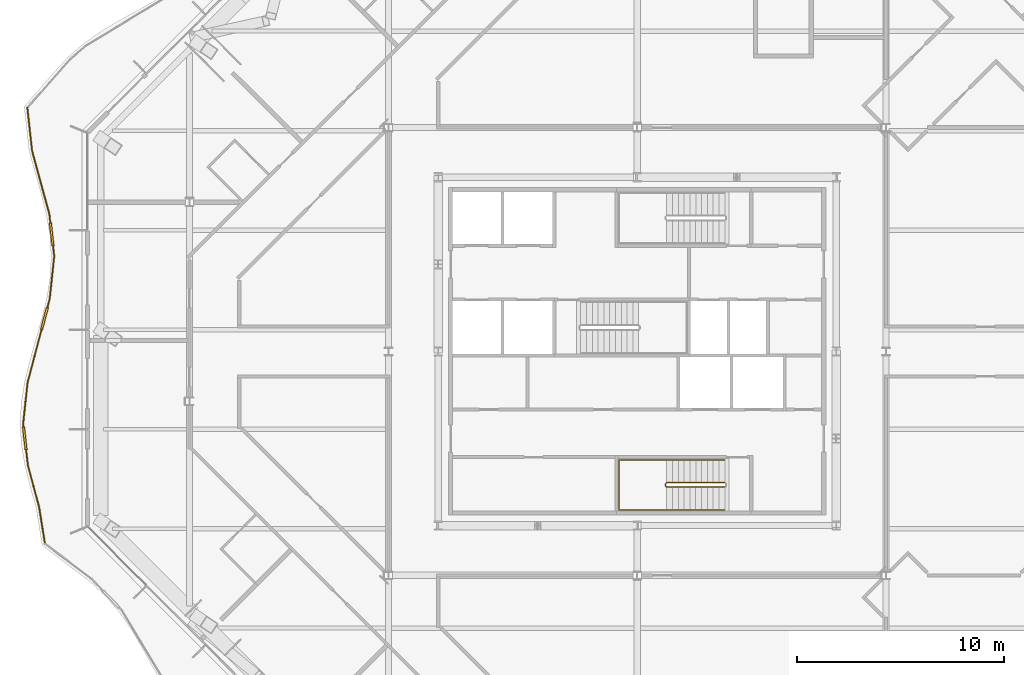
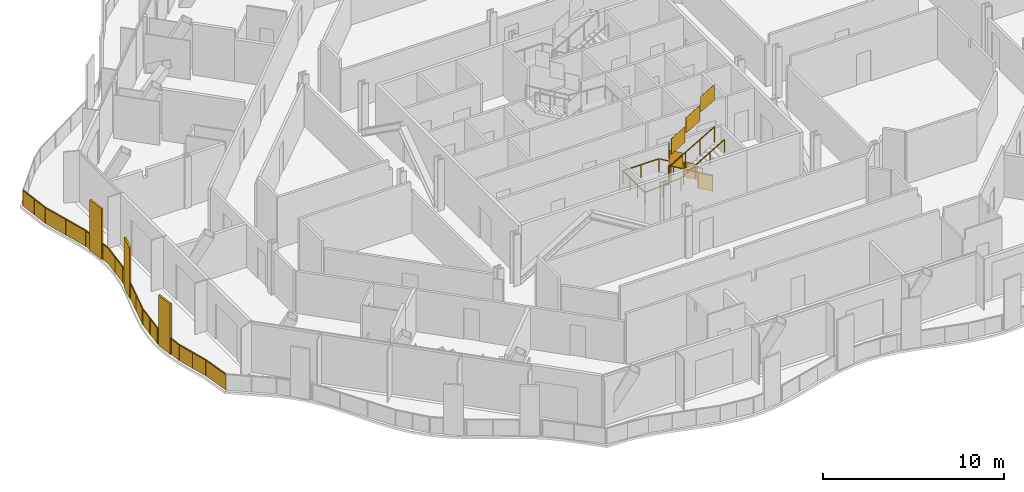
# One storey, part 15 of 21: 3 railings.
"""IFC4 building model written with IfcOpenShell, lengths in metres."""

from ifc_helpers import new_model, si_unit, direction, frame, origin, origin_2d, place, context, subcontext, project, spatial, polyline, rectangle, outline, extrude, material, type_object, element, save


model = new_model("IFC4")

# Units and contexts
model_context = context("Model", 3, precision=1e-05, world=origin(), true_north=direction((0.0, 1.0)))
body_context = subcontext(model_context, "Body", "Model", "MODEL_VIEW")
ifc_project = project(units=[si_unit("LENGTHUNIT", "METRE"), si_unit("AREAUNIT", "SQUARE_METRE"), si_unit("VOLUMEUNIT", "CUBIC_METRE"), si_unit("PLANEANGLEUNIT", "RADIAN"), si_unit("MASSUNIT", "GRAM", prefix="KILO")], contexts=[model_context])

# Site, building, storey
site_placement = place(None, origin())
site = spatial("IfcSite", under=ifc_project, at=site_placement, CompositionType="ELEMENT")
building_placement = place(site_placement, origin())
building = spatial("IfcBuilding", under=site, at=building_placement, Name="Cairn Pilgrim Tower", CompositionType="ELEMENT")
storey_placement = place(building_placement, frame((0.0, 0.0, 183.0)))
storey = spatial("IfcBuildingStorey", under=building, at=storey_placement, Name="L46", CompositionType="ELEMENT", Elevation=183.0)

# Railings
ifc_material_1 = material(Name="Bronze anodised aluminium rail, posts and fin screens with laminated glass infill", Category="aluminium")
railing_type_1 = type_object("IfcRailingType", Name="BALCONY GUARD WITH FIN SCREENS", PredefinedType="GUARDRAIL", material=ifc_material_1)
railing_1_placement = place(storey_placement, frame((-22.220458984375, 14.1611328125, 0.0)))
element("IfcRailing", 1, at=railing_1_placement, inside=storey, type_object=railing_type_1, Name="Balcony guard BGF-7 with fin screens", PredefinedType="GUARDRAIL", context=body_context, shape_type="SweptSolid", body=[
    extrude(rectangle(XDim=0.050048828125, YDim=0.050048828125, at=origin_2d()), frame((0.0, 0.0, 1.0751953125), z_axis=(0.109426377697, -0.993994903339, 0.0), x_axis=(0.993994903339, 0.109426377697, 0.0)), (0.0, 0.0, 1.0), 2.106201171875),
    extrude(rectangle(XDim=0.050048828125, YDim=0.050048828125, at=origin_2d()), frame((0.23046875, -2.093505859375, 1.0751953125), z_axis=(0.263971831759, -0.96453038938, 0.0), x_axis=(0.96453038938, 0.263971831759, 0.0)), (0.0, 0.0, 1.0), 3.142822265625),
    extrude(rectangle(XDim=1.10009765625, YDim=0.110107421875, at=origin_2d()), frame((1.173583984375, -6.109619140625, 0.0), z_axis=(0.0, 0.0, 1.0), x_axis=(0.11458816302, -0.993413082708, 0.0)), (0.0, 0.0, 1.0), 3.39990234375),
    extrude(rectangle(XDim=0.050048828125, YDim=0.050048828125, at=origin_2d()), frame((1.06005859375, -5.124755859375, 1.0751953125), z_axis=(0.11458816302, -0.993413082708, 0.0), x_axis=(0.993413082708, 0.11458816302, 0.0)), (0.0, 0.0, 1.0), 0.44140625),
    extrude(rectangle(XDim=0.050048828125, YDim=0.050048828125, at=origin_2d()), frame((1.236572265625, -6.656005859375, 1.0751953125), z_axis=(0.11458816302, -0.993413082708, 0.0), x_axis=(0.993413082708, 0.11458816302, 0.0)), (0.0, 0.0, 1.0), 0.52099609375),
    extrude(rectangle(XDim=0.050048828125, YDim=0.050048828125, at=origin_2d()), frame((1.29638671875, -7.173583984375, 1.0751953125), z_axis=(-0.105918159941, -0.994374850544, 0.0), x_axis=(0.994374850544, -0.105918159941, 0.0)), (0.0, 0.0, 1.0), 2.060546875),
    extrude(rectangle(XDim=1.10009765625, YDim=0.110107421875, at=origin_2d()), frame((0.8291015625, -10.164306640625, 0.0), z_axis=(0.0, 0.0, 1.0), x_axis=(-0.255757741287, -0.966740905192, 0.0)), (0.0, 0.0, 1.0), 3.39990234375),
    extrude(rectangle(XDim=0.050048828125, YDim=0.050048828125, at=origin_2d()), frame((1.078125, -9.22265625, 1.0751953125), z_axis=(-0.255757741287, -0.966740905192, 0.0), x_axis=(0.966740905192, -0.255757741287, 0.0)), (0.0, 0.0, 1.0), 0.424072265625),
    extrude(rectangle(XDim=0.050048828125, YDim=0.050048828125, at=origin_2d()), frame((0.688232421875, -10.696044921875, 1.0751953125), z_axis=(-0.255757741287, -0.966740905192, 0.0), x_axis=(0.966740905192, -0.255757741287, 0.0)), (0.0, 0.0, 1.0), 2.656982421875),
    extrude(rectangle(XDim=0.050048828125, YDim=0.050048828125, at=origin_2d()), frame((0.0087890625, -13.2646484375, 1.0751953125), z_axis=(-0.105965426118, -0.994369814741, 0.0), x_axis=(0.994369814741, -0.105965426118, 0.0)), (0.0, 0.0, 1.0), 2.00439453125),
    extrude(rectangle(XDim=1.10009765625, YDim=0.110107421875, at=origin_2d()), frame((-0.12353515625, -15.953125, 0.0), z_axis=(0.0, 0.0, 1.0), x_axis=(0.114476346034, -0.993425974192, 0.0)), (0.0, 0.0, 1.0), 3.39990234375),
    extrude(rectangle(XDim=0.050048828125, YDim=0.050048828125, at=origin_2d()), frame((-0.20361328125, -15.2578125, 1.0751953125), z_axis=(0.114476346034, -0.993425974192, 0.0), x_axis=(0.993425974192, 0.114476346034, 0.0)), (0.0, 0.0, 1.0), 0.14990234375),
    extrude(rectangle(XDim=0.050048828125, YDim=0.050048828125, at=origin_2d()), frame((-0.060546875, -16.49951171875, 1.0751953125), z_axis=(0.114476346034, -0.993425974192, 0.0), x_axis=(0.993425974192, 0.114476346034, 0.0)), (0.0, 0.0, 1.0), 0.7568359375),
    extrude(rectangle(XDim=0.050048828125, YDim=0.050048828125, at=origin_2d()), frame((0.026123046875, -17.25146484375, 1.0751953125), z_axis=(0.258862652349, -0.965914140707, 0.0), x_axis=(0.965914140707, 0.258862652349, 0.0)), (0.0, 0.0, 1.0), 2.089111328125),
    extrude(rectangle(XDim=0.050048828125, YDim=0.050048828125, at=origin_2d()), frame((0.56689453125, -19.269287109375, 1.0751953125), z_axis=(0.156835544223, -0.98762473241, 0.0), x_axis=(0.98762473241, 0.156835544223, 0.0)), (0.0, 0.0, 1.0), 1.72314453125),
    extrude(rectangle(XDim=0.050048828125, YDim=0.050048828125, at=origin_2d()), origin(), (0.0, 0.0, 1.0), 1.050048828125),
    extrude(rectangle(XDim=0.050048828125, YDim=0.050048828125, at=origin_2d()), frame((0.115234375, -1.046875, 0.0)), (0.0, 0.0, 1.0), 1.050048828125),
    extrude(rectangle(XDim=0.050048828125, YDim=0.050048828125, at=origin_2d()), frame((0.23046875, -2.093505859375, 0.0)), (0.0, 0.0, 1.0), 1.050048828125),
    extrude(rectangle(XDim=0.050048828125, YDim=0.050048828125, at=origin_2d()), frame((0.645263671875, -3.609130859375, 0.0)), (0.0, 0.0, 1.0), 1.050048828125),
    extrude(rectangle(XDim=0.050048828125, YDim=0.050048828125, at=origin_2d()), frame((1.06005859375, -5.124755859375, 0.0)), (0.0, 0.0, 1.0), 1.050048828125),
    extrude(rectangle(XDim=0.050048828125, YDim=0.050048828125, at=origin_2d()), frame((1.107666015625, -5.538330078125, 0.0)), (0.0, 0.0, 1.0), 1.050048828125),
    extrude(rectangle(XDim=0.050048828125, YDim=0.050048828125, at=origin_2d()), frame((1.239501953125, -6.680908203125, 0.0)), (0.0, 0.0, 1.0), 1.050048828125),
    extrude(rectangle(XDim=0.050048828125, YDim=0.050048828125, at=origin_2d()), frame((1.29638671875, -7.173583984375, 0.0)), (0.0, 0.0, 1.0), 1.050048828125),
    extrude(rectangle(XDim=0.050048828125, YDim=0.050048828125, at=origin_2d()), frame((1.187255859375, -8.1982421875, 0.0)), (0.0, 0.0, 1.0), 1.050048828125),
    extrude(rectangle(XDim=0.050048828125, YDim=0.050048828125, at=origin_2d()), frame((1.078125, -9.22265625, 0.0)), (0.0, 0.0, 1.0), 1.050048828125),
    extrude(rectangle(XDim=0.050048828125, YDim=0.050048828125, at=origin_2d()), frame((0.97607421875, -9.6083984375, 0.0)), (0.0, 0.0, 1.0), 1.050048828125),
    extrude(rectangle(XDim=0.050048828125, YDim=0.050048828125, at=origin_2d()), frame((0.681884765625, -10.72021484375, 0.0)), (0.0, 0.0, 1.0), 1.050048828125),
    extrude(rectangle(XDim=0.050048828125, YDim=0.050048828125, at=origin_2d()), frame((0.345458984375, -11.992431640625, 0.0)), (0.0, 0.0, 1.0), 1.050048828125),
    extrude(rectangle(XDim=0.050048828125, YDim=0.050048828125, at=origin_2d()), frame((0.0087890625, -13.2646484375, 0.0)), (0.0, 0.0, 1.0), 1.050048828125),
    extrude(rectangle(XDim=0.050048828125, YDim=0.050048828125, at=origin_2d()), frame((-0.097412109375, -14.26123046875, 0.0)), (0.0, 0.0, 1.0), 1.050048828125),
    extrude(rectangle(XDim=0.050048828125, YDim=0.050048828125, at=origin_2d()), frame((-0.20361328125, -15.2578125, 0.0)), (0.0, 0.0, 1.0), 1.050048828125),
    extrude(rectangle(XDim=0.050048828125, YDim=0.050048828125, at=origin_2d()), frame((-0.189208984375, -15.3818359375, 0.0)), (0.0, 0.0, 1.0), 1.050048828125),
    extrude(rectangle(XDim=0.050048828125, YDim=0.050048828125, at=origin_2d()), frame((-0.0576171875, -16.5244140625, 0.0)), (0.0, 0.0, 1.0), 1.050048828125),
    extrude(rectangle(XDim=0.050048828125, YDim=0.050048828125, at=origin_2d()), frame((0.026123046875, -17.25146484375, 0.0)), (0.0, 0.0, 1.0), 1.050048828125),
    extrude(rectangle(XDim=0.050048828125, YDim=0.050048828125, at=origin_2d()), frame((0.29638671875, -18.26025390625, 0.0)), (0.0, 0.0, 1.0), 1.050048828125),
    extrude(rectangle(XDim=0.050048828125, YDim=0.050048828125, at=origin_2d()), frame((0.56689453125, -19.269287109375, 0.0)), (0.0, 0.0, 1.0), 1.050048828125),
    extrude(rectangle(XDim=0.050048828125, YDim=0.050048828125, at=origin_2d()), frame((0.837158203125, -20.97119140625, 0.0)), (0.0, 0.0, 1.0), 1.050048828125),
    extrude(outline(polyline([(0.02490234375, 0.0), (1.028076171875, 0.0), (1.028076171875, 1.050048828125), (0.02490234375, 1.050048828125), (0.02490234375, 0.0)])), frame((0.005859375, 0.000732421875, 0.0), z_axis=(-0.993994903339, -0.109426377697, 0.0), x_axis=(0.109426377697, -0.993994903339, 0.0)), (0.0, 0.0, 1.0), 0.011962890625),
    extrude(outline(polyline([(0.02490234375, 0.0), (1.028076171875, 0.0), (1.028076171875, 1.050048828125), (0.02490234375, 1.050048828125), (0.02490234375, 0.0)])), frame((0.12109375, -1.046142578125, 0.0), z_axis=(-0.993994903339, -0.109426377697, 0.0), x_axis=(0.109426377697, -0.993994903339, 0.0)), (0.0, 0.0, 1.0), 0.011962890625),
    extrude(outline(polyline([(0.02490234375, 0.0), (1.54638671875, 0.0), (1.54638671875, 1.050048828125), (0.02490234375, 1.050048828125), (0.02490234375, 0.0)])), frame((0.236328125, -2.092041015625, 0.0), z_axis=(-0.96453038938, -0.263971831759, 0.0), x_axis=(0.263971831759, -0.96453038938, 0.0)), (0.0, 0.0, 1.0), 0.011962890625),
    extrude(outline(polyline([(0.02490234375, 0.0), (1.54638671875, 0.0), (1.54638671875, 1.050048828125), (0.02490234375, 1.050048828125), (0.02490234375, 0.0)])), frame((0.651123046875, -3.607666015625, 0.0), z_axis=(-0.96453038938, -0.263971831759, 0.0), x_axis=(0.263971831759, -0.96453038938, 0.0)), (0.0, 0.0, 1.0), 0.011962890625),
    extrude(outline(polyline([(0.02490234375, 0.0), (0.391357421875, 0.0), (0.391357421875, 1.050048828125), (0.02490234375, 1.050048828125), (0.02490234375, 0.0)])), frame((1.06591796875, -5.1240234375, 0.0), z_axis=(-0.993413082708, -0.11458816302, 0.0), x_axis=(0.11458816302, -0.993413082708, 0.0)), (0.0, 0.0, 1.0), 0.011962890625),
    extrude(outline(polyline([(0.02490234375, 0.0), (0.470947265625, 0.0), (0.470947265625, 1.050048828125), (0.02490234375, 1.050048828125), (0.02490234375, 0.0)])), frame((1.24560546875, -6.68017578125, 0.0), z_axis=(-0.993413082708, -0.11458816302, 0.0), x_axis=(0.11458816302, -0.993413082708, 0.0)), (0.0, 0.0, 1.0), 0.011962890625),
    extrude(outline(polyline([(0.02490234375, 0.0), (1.00537109375, 0.0), (1.00537109375, 1.050048828125), (0.02490234375, 1.050048828125), (0.02490234375, 0.0)])), frame((1.30224609375, -7.17431640625, 0.0), z_axis=(-0.994374850544, 0.105918159941, 0.0), x_axis=(-0.105918159941, -0.994374850544, 0.0)), (0.0, 0.0, 1.0), 0.011962890625),
    extrude(outline(polyline([(0.02490234375, 0.0), (1.00537109375, 0.0), (1.00537109375, 1.050048828125), (0.02490234375, 1.050048828125), (0.02490234375, 0.0)])), frame((1.193115234375, -8.19873046875, 0.0), z_axis=(-0.994374850544, 0.105918159941, 0.0), x_axis=(-0.105918159941, -0.994374850544, 0.0)), (0.0, 0.0, 1.0), 0.011962890625),
    extrude(outline(polyline([(0.02490234375, 0.0), (0.3740234375, 0.0), (0.3740234375, 1.050048828125), (0.02490234375, 1.050048828125), (0.02490234375, 0.0)])), frame((1.083984375, -9.22412109375, 0.0), z_axis=(-0.966740905192, 0.255757741287, 0.0), x_axis=(-0.255757741287, -0.966740905192, 0.0)), (0.0, 0.0, 1.0), 0.011962890625),
    extrude(outline(polyline([(0.02490234375, 0.0), (1.291015625, 0.0), (1.291015625, 1.050048828125), (0.02490234375, 1.050048828125), (0.02490234375, 0.0)])), frame((0.687744140625, -10.7216796875, 0.0), z_axis=(-0.966740905192, 0.255757741287, 0.0), x_axis=(-0.255757741287, -0.966740905192, 0.0)), (0.0, 0.0, 1.0), 0.011962890625),
    extrude(outline(polyline([(0.02490234375, 0.0), (1.291015625, 0.0), (1.291015625, 1.050048828125), (0.02490234375, 1.050048828125), (0.02490234375, 0.0)])), frame((0.35107421875, -11.993896484375, 0.0), z_axis=(-0.966740905192, 0.255757741287, 0.0), x_axis=(-0.255757741287, -0.966740905192, 0.0)), (0.0, 0.0, 1.0), 0.011962890625),
    extrude(outline(polyline([(0.02490234375, 0.0), (0.977294921875, 0.0), (0.977294921875, 1.050048828125), (0.02490234375, 1.050048828125), (0.02490234375, 0.0)])), frame((0.0146484375, -13.265380859375, 0.0), z_axis=(-0.994369814741, 0.105965426118, 0.0), x_axis=(-0.105965426118, -0.994369814741, 0.0)), (0.0, 0.0, 1.0), 0.011962890625),
    extrude(outline(polyline([(0.02490234375, 0.0), (0.977294921875, 0.0), (0.977294921875, 1.050048828125), (0.02490234375, 1.050048828125), (0.02490234375, 0.0)])), frame((-0.091552734375, -14.261962890625, 0.0), z_axis=(-0.994369814741, 0.105965426118, 0.0), x_axis=(-0.105965426118, -0.994369814741, 0.0)), (0.0, 0.0, 1.0), 0.011962890625),
    extrude(outline(polyline([(0.02490234375, 0.0), (0.099853515625, 0.0), (0.099853515625, 1.050048828125), (0.02490234375, 1.050048828125), (0.02490234375, 0.0)])), frame((-0.19775390625, -15.257080078125, 0.0), z_axis=(-0.993425974192, -0.114476346034, 0.0), x_axis=(0.114476346034, -0.993425974192, 0.0)), (0.0, 0.0, 1.0), 0.011962890625),
    extrude(outline(polyline([(0.02490234375, 0.0), (0.706787109375, 0.0), (0.706787109375, 1.050048828125), (0.02490234375, 1.050048828125), (0.02490234375, 0.0)])), frame((-0.0517578125, -16.523681640625, 0.0), z_axis=(-0.993425974192, -0.114476346034, 0.0), x_axis=(0.114476346034, -0.993425974192, 0.0)), (0.0, 0.0, 1.0), 0.011962890625),
    extrude(outline(polyline([(0.02490234375, 0.0), (1.01953125, 0.0), (1.01953125, 1.050048828125), (0.02490234375, 1.050048828125), (0.02490234375, 0.0)])), frame((0.031982421875, -17.25, 0.0), z_axis=(-0.965914140707, -0.258862652349, 0.0), x_axis=(0.258862652349, -0.965914140707, 0.0)), (0.0, 0.0, 1.0), 0.011962890625),
    extrude(outline(polyline([(0.02490234375, 0.0), (1.01953125, 0.0), (1.01953125, 1.050048828125), (0.02490234375, 1.050048828125), (0.02490234375, 0.0)])), frame((0.30224609375, -18.2587890625, 0.0), z_axis=(-0.965914140707, -0.258862652349, 0.0), x_axis=(0.258862652349, -0.965914140707, 0.0)), (0.0, 0.0, 1.0), 0.011962890625),
    extrude(outline(polyline([(0.02490234375, 0.0), (1.6982421875, 0.0), (1.6982421875, 1.050048828125), (0.02490234375, 1.050048828125), (0.02490234375, 0.0)])), frame((0.57275390625, -19.268310546875, 0.0), z_axis=(-0.98762473241, -0.156835544223, 0.0), x_axis=(0.156835544223, -0.98762473241, 0.0)), (0.0, 0.0, 1.0), 0.011962890625),
])
ifc_material_2 = material(Name="Painted steel", Category="steel")
railing_type_2 = type_object("IfcRailingType", Name="STAIR GUARD 1100", PredefinedType="GUARDRAIL", material=ifc_material_2)
railing_2_placement = place(storey_placement, frame((11.425048828125, -3.925048828125, 0.16357421875)))
element("IfcRailing", 2, at=railing_2_placement, inside=storey, type_object=railing_type_2, Name="L46 ST-A stair guard 1", PredefinedType="GUARDRAIL", context=body_context, shape_type="SweptSolid", body=[
    extrude(rectangle(XDim=0.048095703125, YDim=0.048095703125, at=origin_2d()), frame((0.0, 0.0, 1.076171875), z_axis=(-0.863360870873, 0.0, 0.504586966384), x_axis=(0.0, -1.0, 0.0)), (0.0, 0.0, 1.0), 3.2431640625),
    extrude(rectangle(XDim=0.048095703125, YDim=0.048095703125, at=origin_2d()), frame((-2.800048828125, 0.0, 2.71240234375), z_axis=(-0.707106781187, -0.707106781187, 0.0), x_axis=(0.707106781187, -0.707106781187, 0.0)), (0.0, 0.0, 1.0), 0.07080078125),
    extrude(rectangle(XDim=0.048095703125, YDim=0.048095703125, at=origin_2d()), frame((-2.85009765625, -0.050048828125, 2.71240234375), z_axis=(0.0, -1.0, 0.0), x_axis=(1.0, 0.0, 0.0)), (0.0, 0.0, 1.0), 0.125),
    extrude(rectangle(XDim=0.048095703125, YDim=0.048095703125, at=origin_2d()), frame((-2.85009765625, -0.175048828125, 2.71240234375), z_axis=(0.280916556609, -0.279546231943, 0.91811752648), x_axis=(0.705375805398, 0.708833529934, 0.0)), (0.0, 0.0, 1.0), 0.17822265625),
    extrude(rectangle(XDim=0.048095703125, YDim=0.048095703125, at=origin_2d()), frame((-2.800048828125, -0.224853515625, 2.8759765625), z_axis=(0.863360870873, 0.0, 0.504586966384), x_axis=(0.0, 1.0, 0.0)), (0.0, 0.0, 1.0), 3.2431640625),
    extrude(rectangle(XDim=0.0419921875, YDim=0.0419921875, at=origin_2d()), origin(), (0.0, 0.0, 1.0), 1.052001953125),
    extrude(rectangle(XDim=0.0419921875, YDim=0.0419921875, at=origin_2d()), frame((-0.933349609375, 0.0, 0.54541015625)), (0.0, 0.0, 1.0), 1.052001953125),
    extrude(rectangle(XDim=0.0419921875, YDim=0.0419921875, at=origin_2d()), frame((-1.86669921875, 0.0, 1.091064453125)), (0.0, 0.0, 1.0), 1.052001953125),
    extrude(rectangle(XDim=0.0419921875, YDim=0.0419921875, at=origin_2d()), frame((-2.800048828125, 0.0, 1.636474609375)), (0.0, 0.0, 1.0), 1.052001953125),
    extrude(rectangle(XDim=0.0419921875, YDim=0.0419921875, at=origin_2d()), frame((-2.85009765625, -0.050048828125, 1.636474609375)), (0.0, 0.0, 1.0), 1.052001953125),
    extrude(rectangle(XDim=0.0419921875, YDim=0.0419921875, at=origin_2d()), frame((-2.85009765625, -0.175048828125, 1.636474609375)), (0.0, 0.0, 1.0), 1.052001953125),
    extrude(rectangle(XDim=0.0419921875, YDim=0.0419921875, at=origin_2d()), frame((-2.800048828125, -0.224853515625, 1.800048828125)), (0.0, 0.0, 1.0), 1.052001953125),
    extrude(rectangle(XDim=0.0419921875, YDim=0.0419921875, at=origin_2d()), frame((-1.86669921875, -0.224853515625, 2.345458984375)), (0.0, 0.0, 1.0), 1.052001953125),
    extrude(rectangle(XDim=0.0419921875, YDim=0.0419921875, at=origin_2d()), frame((-0.933349609375, -0.224853515625, 2.89111328125)), (0.0, 0.0, 1.0), 1.052001953125),
    extrude(rectangle(XDim=0.0419921875, YDim=0.0419921875, at=origin_2d()), frame((0.0, -0.224853515625, 3.4365234375)), (0.0, 0.0, 1.0), 1.052001953125),
    extrude(outline(polyline([(0.02099609375, 0.01220703125), (0.912353515625, 0.533203125), (0.912353515625, 1.585205078125), (0.02099609375, 1.064208984375), (0.02099609375, 0.01220703125)])), frame((0.0, -0.005859375, 0.0), z_axis=(0.0, 1.0, 0.0), x_axis=(-1.0, 0.0, 0.0)), (0.0, 0.0, 1.0), 0.011962890625),
    extrude(outline(polyline([(0.02099609375, 0.557861328125), (0.912353515625, 1.07861328125), (0.912353515625, 2.130615234375), (0.02099609375, 1.60986328125), (0.02099609375, 0.557861328125)])), frame((-0.933349609375, -0.005859375, 0.54541015625), z_axis=(0.0, 1.0, 0.0), x_axis=(-1.0, 0.0, 0.0)), (0.0, 0.0, 1.0), 0.011962890625),
    extrude(outline(polyline([(0.02099609375, 1.103271484375), (0.912353515625, 1.624267578125), (0.912353515625, 2.67626953125), (0.02099609375, 2.1552734375), (0.02099609375, 1.103271484375)])), frame((-1.86669921875, -0.005859375, 1.091064453125), z_axis=(0.0, 1.0, 0.0), x_axis=(-1.0, 0.0, 0.0)), (0.0, 0.0, 1.0), 0.011962890625),
    extrude(outline(polyline([(0.02099609375, 1.636474609375), (0.10400390625, 1.636474609375), (0.10400390625, 2.6884765625), (0.02099609375, 2.6884765625), (0.02099609375, 1.636474609375)])), frame((-2.84423828125, -0.050048828125, 1.636474609375), z_axis=(-1.0, 0.0, 0.0), x_axis=(0.0, -1.0, 0.0)), (0.0, 0.0, 1.0), 0.011962890625),
    extrude(outline(polyline([(0.02099609375, 1.812255859375), (0.912353515625, 2.333251953125), (0.912353515625, 3.38525390625), (0.02099609375, 2.8642578125), (0.02099609375, 1.812255859375)])), frame((-2.800048828125, -0.21875, 1.800048828125), z_axis=(0.0, -1.0, 0.0), x_axis=(1.0, 0.0, 0.0)), (0.0, 0.0, 1.0), 0.011962890625),
    extrude(outline(polyline([(0.02099609375, 2.35791015625), (0.912353515625, 2.878662109375), (0.912353515625, 3.9306640625), (0.02099609375, 3.409912109375), (0.02099609375, 2.35791015625)])), frame((-1.86669921875, -0.21875, 2.345458984375), z_axis=(0.0, -1.0, 0.0), x_axis=(1.0, 0.0, 0.0)), (0.0, 0.0, 1.0), 0.011962890625),
    extrude(outline(polyline([(0.02099609375, 2.9033203125), (0.912353515625, 3.42431640625), (0.912353515625, 4.476318359375), (0.02099609375, 3.955322265625), (0.02099609375, 2.9033203125)])), frame((-0.933349609375, -0.21875, 2.89111328125), z_axis=(0.0, -1.0, 0.0), x_axis=(1.0, 0.0, 0.0)), (0.0, 0.0, 1.0), 0.011962890625),
])
railing_type_3 = type_object("IfcRailingType", Name="STAIR HANDRAIL 900", PredefinedType="HANDRAIL", material=ifc_material_2)
railing_3_placement = place(storey_placement, frame((11.425048828125, -2.824951171875, 0.16357421875)))
element("IfcRailing", 3, at=railing_3_placement, inside=storey, type_object=railing_type_3, Name="L46 ST-A stair handrail 1", PredefinedType="HANDRAIL", context=body_context, shape_type="SweptSolid", body=[
    extrude(rectangle(XDim=0.048095703125, YDim=0.048095703125, at=origin_2d()), frame((0.0, 0.0, 0.8759765625), z_axis=(-0.863360870873, 0.0, 0.504586966384), x_axis=(0.0, -1.0, 0.0)), (0.0, 0.0, 1.0), 3.2431640625),
    extrude(rectangle(XDim=0.048095703125, YDim=0.048095703125, at=origin_2d()), frame((-2.800048828125, 0.0, 2.51220703125), z_axis=(-1.0, 0.0, 0.0), x_axis=(0.0, -1.0, 0.0)), (0.0, 0.0, 1.0), 2.300048828125),
    extrude(rectangle(XDim=0.048095703125, YDim=0.048095703125, at=origin_2d()), frame((-5.10009765625, 0.0, 2.51220703125), z_axis=(0.0, -1.0, 0.0), x_axis=(1.0, 0.0, 0.0)), (0.0, 0.0, 1.0), 2.425048828125),
    extrude(rectangle(XDim=0.048095703125, YDim=0.048095703125, at=origin_2d()), frame((-5.10009765625, -2.425048828125, 2.51220703125), z_axis=(0.997480687736, 0.0, 0.070938548008), x_axis=(0.0, 1.0, 0.0)), (0.0, 0.0, 1.0), 2.305908203125),
    extrude(rectangle(XDim=0.048095703125, YDim=0.048095703125, at=origin_2d()), frame((-2.800048828125, -2.425048828125, 2.67578125), z_axis=(0.863360870873, 0.0, 0.504586966384), x_axis=(0.0, 1.0, 0.0)), (0.0, 0.0, 1.0), 3.2431640625),
    extrude(rectangle(XDim=0.0419921875, YDim=0.0419921875, at=origin_2d()), origin(), (0.0, 0.0, 1.0), 0.851806640625),
    extrude(rectangle(XDim=0.0419921875, YDim=0.0419921875, at=origin_2d()), frame((-0.933349609375, 0.0, 0.54541015625)), (0.0, 0.0, 1.0), 0.851806640625),
    extrude(rectangle(XDim=0.0419921875, YDim=0.0419921875, at=origin_2d()), frame((-1.86669921875, 0.0, 1.091064453125)), (0.0, 0.0, 1.0), 0.851806640625),
    extrude(rectangle(XDim=0.0419921875, YDim=0.0419921875, at=origin_2d()), frame((-2.800048828125, 0.0, 1.636474609375)), (0.0, 0.0, 1.0), 0.851806640625),
    extrude(rectangle(XDim=0.0419921875, YDim=0.0419921875, at=origin_2d()), frame((-3.9501953125, 0.0, 1.636474609375)), (0.0, 0.0, 1.0), 0.851806640625),
    extrude(rectangle(XDim=0.0419921875, YDim=0.0419921875, at=origin_2d()), frame((-5.10009765625, 0.0, 1.636474609375)), (0.0, 0.0, 1.0), 0.851806640625),
    extrude(rectangle(XDim=0.0419921875, YDim=0.0419921875, at=origin_2d()), frame((-5.10009765625, -0.808349609375, 1.636474609375)), (0.0, 0.0, 1.0), 0.851806640625),
    extrude(rectangle(XDim=0.0419921875, YDim=0.0419921875, at=origin_2d()), frame((-5.10009765625, -1.61669921875, 1.636474609375)), (0.0, 0.0, 1.0), 0.851806640625),
    extrude(rectangle(XDim=0.0419921875, YDim=0.0419921875, at=origin_2d()), frame((-5.10009765625, -2.425048828125, 1.636474609375)), (0.0, 0.0, 1.0), 0.851806640625),
    extrude(rectangle(XDim=0.0419921875, YDim=0.0419921875, at=origin_2d()), frame((-3.9501953125, -2.425048828125, 1.71826171875)), (0.0, 0.0, 1.0), 0.851806640625),
    extrude(rectangle(XDim=0.0419921875, YDim=0.0419921875, at=origin_2d()), frame((-2.800048828125, -2.425048828125, 1.800048828125)), (0.0, 0.0, 1.0), 0.851806640625),
    extrude(rectangle(XDim=0.0419921875, YDim=0.0419921875, at=origin_2d()), frame((-1.86669921875, -2.425048828125, 2.345458984375)), (0.0, 0.0, 1.0), 0.851806640625),
    extrude(rectangle(XDim=0.0419921875, YDim=0.0419921875, at=origin_2d()), frame((-0.933349609375, -2.425048828125, 2.89111328125)), (0.0, 0.0, 1.0), 0.851806640625),
    extrude(rectangle(XDim=0.0419921875, YDim=0.0419921875, at=origin_2d()), frame((0.0, -2.425048828125, 3.4365234375)), (0.0, 0.0, 1.0), 0.851806640625),
])

save(model, "model.ifc")
